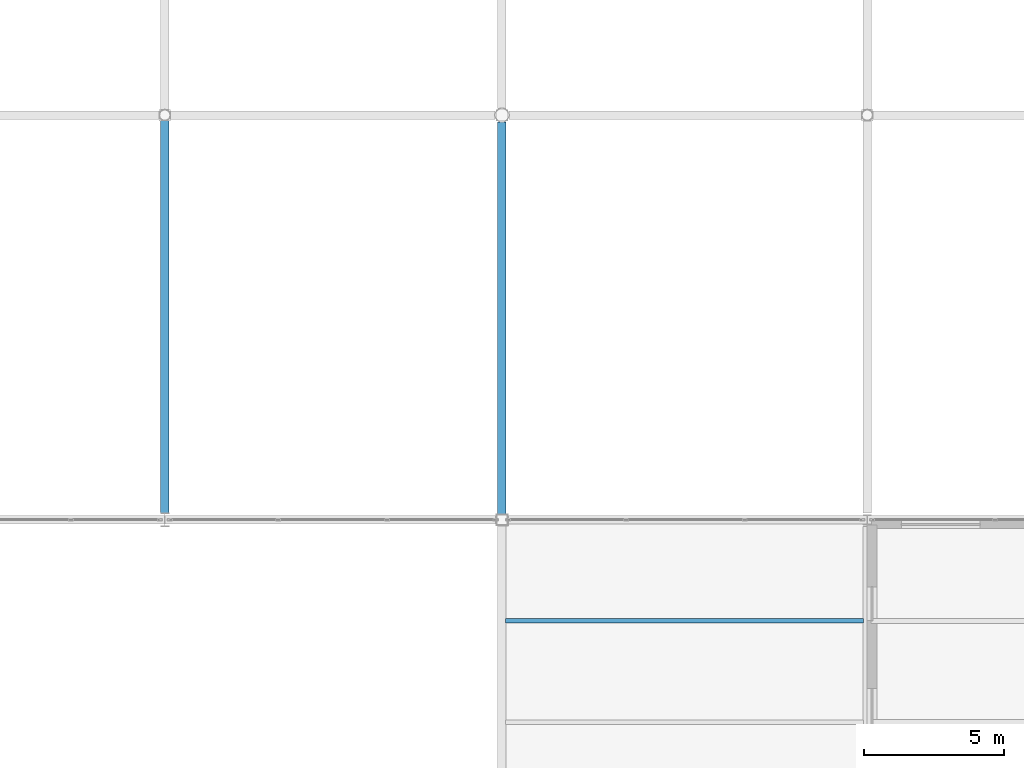
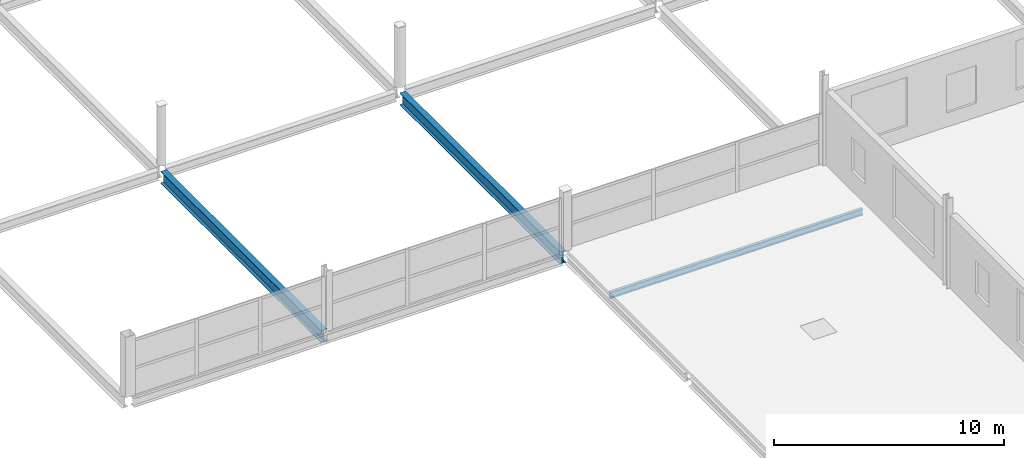
# One storey, part 84 of 134: 3 beams.
"""IFC4 building model written with IfcOpenShell, lengths in metres."""

from ifc_helpers import new_model, si_unit, direction, frame, origin, origin_2d, place, context, subcontext, project, spatial, i_section, extrude, material, material_profile, profile_set, type_object, element, save


model = new_model("IFC4")

# Units and contexts
model_context = context("Model", 3, precision=1e-05, world=origin(), true_north=direction((0.0, 1.0)))
body_context = subcontext(model_context, "Body", "Model", "MODEL_VIEW")
ifc_project = project(units=[si_unit("LENGTHUNIT", "METRE"), si_unit("AREAUNIT", "SQUARE_METRE"), si_unit("VOLUMEUNIT", "CUBIC_METRE"), si_unit("PLANEANGLEUNIT", "RADIAN"), si_unit("MASSUNIT", "GRAM", prefix="KILO")], contexts=[model_context])

# Site, building, storey
site_placement = place(None, origin())
site = spatial("IfcSite", under=ifc_project, at=site_placement, CompositionType="ELEMENT")
building_placement = place(site_placement, origin())
building = spatial("IfcBuilding", under=site, at=building_placement, Name="Tamarisk Ironworks Central Station", CompositionType="ELEMENT")
storey_placement = place(building_placement, frame((0.0, 0.0, 12.60009765625)))
storey = spatial("IfcBuildingStorey", under=building, at=storey_placement, Name="L02", CompositionType="ELEMENT", Elevation=12.60009765625)

# Beams
ifc_material = material(Name="Structural steel S355J2", Category="steel")
ifc_material_profile_1 = material_profile(ifc_material, i_section(OverallWidth=0.159912109375, OverallDepth=0.330078125, WebThickness=0.007568359375, FlangeThickness=0.011474609375, at=origin_2d()), Name="IPE 330")
ifc_profile_set_1 = profile_set([ifc_material_profile_1], Name="Structural steel S355J2")
beam_type_1 = type_object("IfcBeamType", Name="BM-B06", PredefinedType="BEAM", material=ifc_profile_set_1)
beam_1_placement = place(storey_placement, frame((140.135009765625, 18.0, -0.3251953125), z_axis=(1.0, 0.0, 0.0), x_axis=(0.0, 1.0, 0.0)))
element("IfcBeam", 1, at=beam_1_placement, inside=storey, type_object=beam_type_1, Name="L02 secondary composite beam 0189", PredefinedType="BEAM", context=body_context, shape_type="SweptSolid", body=[
    extrude(i_section(OverallWidth=0.159912109375, OverallDepth=0.330078125, WebThickness=0.007568359375, FlangeThickness=0.011474609375, at=origin_2d()), origin(), (0.0, 0.0, 1.0), 12.72998046875),
])
ifc_material_profile_2 = material_profile(ifc_material, i_section(OverallWidth=0.300048828125, OverallDepth=0.639892578125, WebThickness=0.013427734375, FlangeThickness=0.02587890625, at=origin_2d()), Name="HEA 650")
ifc_profile_set_2 = profile_set([ifc_material_profile_2], Name="Structural steel S355J2")
beam_type_2 = type_object("IfcBeamType", Name="BM-G02", PredefinedType="BEAM", material=ifc_profile_set_2)
beam_2_placement = place(storey_placement, frame((128.0, 21.837890625, -0.570068359375), z_axis=(0.0, 1.0, 0.0), x_axis=(-1.0, 0.0, 0.0)))
element("IfcBeam", 2, at=beam_2_placement, inside=storey, type_object=beam_type_2, Name="L02 primary girder Y-0495", PredefinedType="BEAM", context=body_context, shape_type="SweptSolid", body=[
    extrude(i_section(OverallWidth=0.300048828125, OverallDepth=0.639892578125, WebThickness=0.013427734375, FlangeThickness=0.02587890625, at=origin_2d()), origin(), (0.0, 0.0, 1.0), 13.970947265625),
])
beam_3_placement = place(storey_placement, frame((140.0, 21.7880859375, -0.570068359375), z_axis=(0.0, 1.0, 0.0), x_axis=(-1.0, 0.0, 0.0)))
element("IfcBeam", 3, at=beam_3_placement, inside=storey, type_object=beam_type_2, Name="L02 primary girder Y-0504", PredefinedType="BEAM", context=body_context, shape_type="SweptSolid", body=[
    extrude(i_section(OverallWidth=0.300048828125, OverallDepth=0.639892578125, WebThickness=0.013427734375, FlangeThickness=0.02587890625, at=origin_2d()), origin(), (0.0, 0.0, 1.0), 13.969970703125),
])

save(model, "model.ifc")
